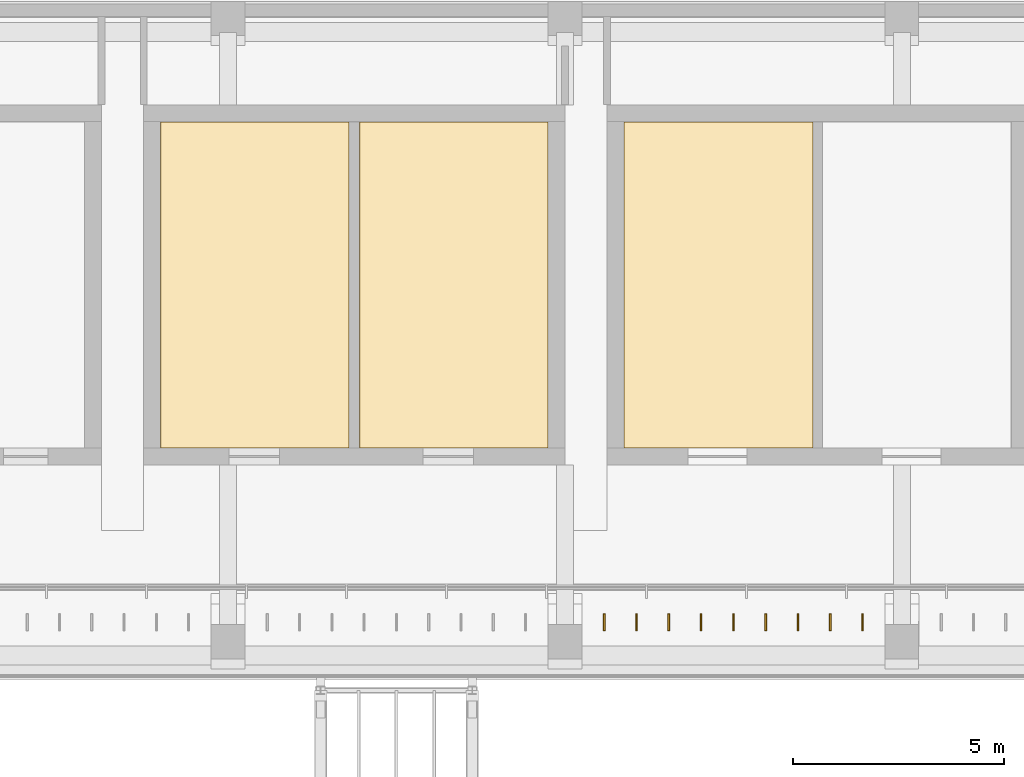
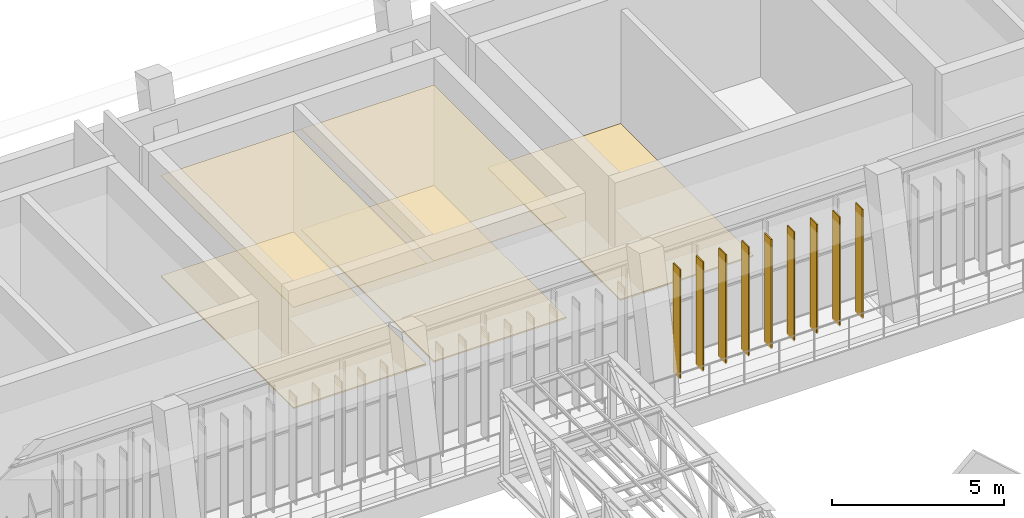
# One storey, part 136 of 141: 9 shading devices, 5 coverings.
"""IFC4 building model written with IfcOpenShell, lengths in metres."""

from ifc_helpers import new_model, si_unit, direction, frame, origin, origin_2d, place, context, subcontext, project, spatial, polyline, rectangle, outline, extrude, material, layer, layer_set, type_object, element, save


model = new_model("IFC4")

# Units and contexts
model_context = context("Model", 3, precision=1e-05, world=origin(), true_north=direction((0.0, 1.0)))
body_context = subcontext(model_context, "Body", "Model", "MODEL_VIEW")
ifc_project = project(units=[si_unit("LENGTHUNIT", "METRE"), si_unit("AREAUNIT", "SQUARE_METRE"), si_unit("VOLUMEUNIT", "CUBIC_METRE"), si_unit("PLANEANGLEUNIT", "RADIAN"), si_unit("MASSUNIT", "GRAM", prefix="KILO")], contexts=[model_context])

# Site, building, storey
site_placement = place(None, origin())
site = spatial("IfcSite", under=ifc_project, at=site_placement, CompositionType="ELEMENT")
building_placement = place(site_placement, origin())
building = spatial("IfcBuilding", under=site, at=building_placement, Name="Lantern Court Media Centre", CompositionType="ELEMENT")
storey_placement = place(building_placement, frame((0.0, 0.0, 9.60009765625)))
storey = spatial("IfcBuildingStorey", under=building, at=storey_placement, Name="L02", CompositionType="ELEMENT", Elevation=9.60009765625)

# Coverings
ifc_material_1 = material(Name="Carpet")
ifc_layer_1 = layer(ifc_material_1, 0.050048828125)
ifc_layer_set_1 = layer_set([ifc_layer_1], Name="Carpet")
covering_type_1 = type_object("IfcCoveringType", Name="Carpet floor finish", PredefinedType="FLOORING", material=ifc_layer_set_1)
covering_1_placement = place(storey_placement, origin())
element("IfcCovering", 1, at=covering_1_placement, inside=storey, type_object=covering_type_1, Name="Sound Mixing Suite 02 floor finish", PredefinedType="FLOORING", context=body_context, shape_type="SweptSolid", body=[
    extrude(outline(polyline([(46.405029296875, 103.455078125), (46.405029296875, 111.195068359375), (50.8701171875, 111.195068359375), (50.8701171875, 103.455078125), (46.405029296875, 103.455078125)])), origin(), (0.0, 0.0, 1.0), 0.0498046875),
])
covering_2_placement = place(storey_placement, origin())
element("IfcCovering", 2, at=covering_2_placement, inside=storey, type_object=covering_type_1, Name="Colour Grading Suite 02 floor finish", PredefinedType="FLOORING", context=body_context, shape_type="SweptSolid", body=[
    extrude(outline(polyline([(51.1298828125, 111.195068359375), (55.594970703125, 111.195068359375), (55.594970703125, 103.455078125), (51.1298828125, 103.455078125), (51.1298828125, 111.195068359375)])), origin(), (0.0, 0.0, 1.0), 0.0498046875),
])
covering_3_placement = place(storey_placement, origin())
element("IfcCovering", 3, at=covering_3_placement, inside=storey, type_object=covering_type_1, Name="Server Room 03 floor finish", PredefinedType="FLOORING", context=body_context, shape_type="SweptSolid", body=[
    extrude(outline(polyline([(57.405029296875, 103.455078125), (57.405029296875, 111.195068359375), (61.885009765625, 111.195068359375), (61.885009765625, 103.455078125), (57.405029296875, 103.455078125)])), origin(), (0.0, 0.0, 1.0), 0.0498046875),
])
ifc_material_2 = material(Name="Mineral fibre ceiling tile")
ifc_layer_2 = layer(ifc_material_2, 0.02001953125)
ifc_layer_set_2 = layer_set([ifc_layer_2], Name="Mineral fibre ceiling tile")
covering_type_2 = type_object("IfcCoveringType", Name="Suspended ceiling tile", PredefinedType="CEILING", material=ifc_layer_set_2)
covering_4_placement = place(storey_placement, frame((0.0, 0.0, 3.599853515625)))
element("IfcCovering", 4, at=covering_4_placement, inside=storey, type_object=covering_type_2, Name="Sound Mixing Suite 02 ceiling", PredefinedType="CEILING", context=body_context, shape_type="SweptSolid", body=[
    extrude(outline(polyline([(51.0, 103.450439453125), (46.400390625, 103.450439453125), (46.400390625, 111.199462890625), (51.0, 111.199462890625), (50.87451171875, 111.195068359375), (50.87451171875, 103.455078125), (51.0, 103.450439453125)])), origin(), (0.0, 0.0, 1.0), 0.02001953125),
])
covering_5_placement = place(storey_placement, frame((0.0, 0.0, 3.599853515625)))
element("IfcCovering", 5, at=covering_5_placement, inside=storey, type_object=covering_type_2, Name="Colour Grading Suite 02 ceiling", PredefinedType="CEILING", context=body_context, shape_type="SweptSolid", body=[
    extrude(outline(polyline([(51.0, 111.199462890625), (55.599609375, 111.199462890625), (55.599609375, 103.450439453125), (51.0, 103.450439453125), (51.12548828125, 103.455078125), (51.12548828125, 111.195068359375), (51.0, 111.199462890625)])), origin(), (0.0, 0.0, 1.0), 0.02001953125),
])

# Shading devices
ifc_material_3 = material(Name="Bronze anodised aluminium louvre", Category="aluminium")
ifc_layer_3 = layer(ifc_material_3, 0.0400390625)
ifc_layer_set_3 = layer_set([ifc_layer_3], Name="Bronze anodised aluminium louvre")
shading_device_type = type_object("IfcShadingDeviceType", Name="Vertical louvre 40x400 under beam", PredefinedType="USERDEFINED", material=ifc_layer_set_3)
for number, where, z_axis, x_axis, name in (
    (6, (56.933349609375, 99.320068359375, 0.0), (0.0, 0.0, 1.0), (1.0, 0.0, 0.0), "Vertical louvre N inner L02"),
    (7, (57.699951171875, 99.320068359375, 0.0), (0.0, 0.0, 1.0), (1.0, 0.0, 0.0), "Vertical louvre N inner L02"),
    (8, (58.466552734375, 99.320068359375, 0.0), (0.0, 0.0, 1.0), (1.0, 0.0, 0.0), "Vertical louvre N inner L02"),
    (9, (59.2333984375, 99.320068359375, 0.0), (0.0, 0.0, 1.0), (1.0, 0.0, 0.0), "Vertical louvre N inner L02"),
    (10, (60.0, 99.320068359375, 0.0), (0.0, 0.0, 1.0), (1.0, 0.0, 0.0), "Vertical louvre N inner L02"),
    (11, (60.7666015625, 99.320068359375, 0.0), (0.0, 0.0, 1.0), (1.0, 0.0, 0.0), "Vertical louvre N inner L02"),
    (12, (61.533447265625, 99.320068359375, 0.0), (0.0, 0.0, 1.0), (1.0, 0.0, 0.0), "Vertical louvre N inner L02"),
    (13, (62.300048828125, 99.320068359375, 0.0), (0.0, 0.0, 1.0), (1.0, 0.0, 0.0), "Vertical louvre N inner L02"),
    (14, (63.066650390625, 99.320068359375, 0.0), (0.0, 0.0, 1.0), (1.0, 0.0, 0.0), "Vertical louvre N inner L02"),
):
    element("IfcShadingDevice", number, at=place(storey_placement, frame(where, z_axis=z_axis, x_axis=x_axis)), inside=storey, type_object=shading_device_type, Name=name, ObjectType="VERTICAL LOUVRE", PredefinedType="USERDEFINED", context=body_context, shape_type="SweptSolid", body=[
        extrude(rectangle(XDim=0.0400390625, YDim=0.39990234375, at=origin_2d()), origin(), (0.0, 0.0, 1.0), 3.89990234375),
    ])

save(model, "model.ifc")
